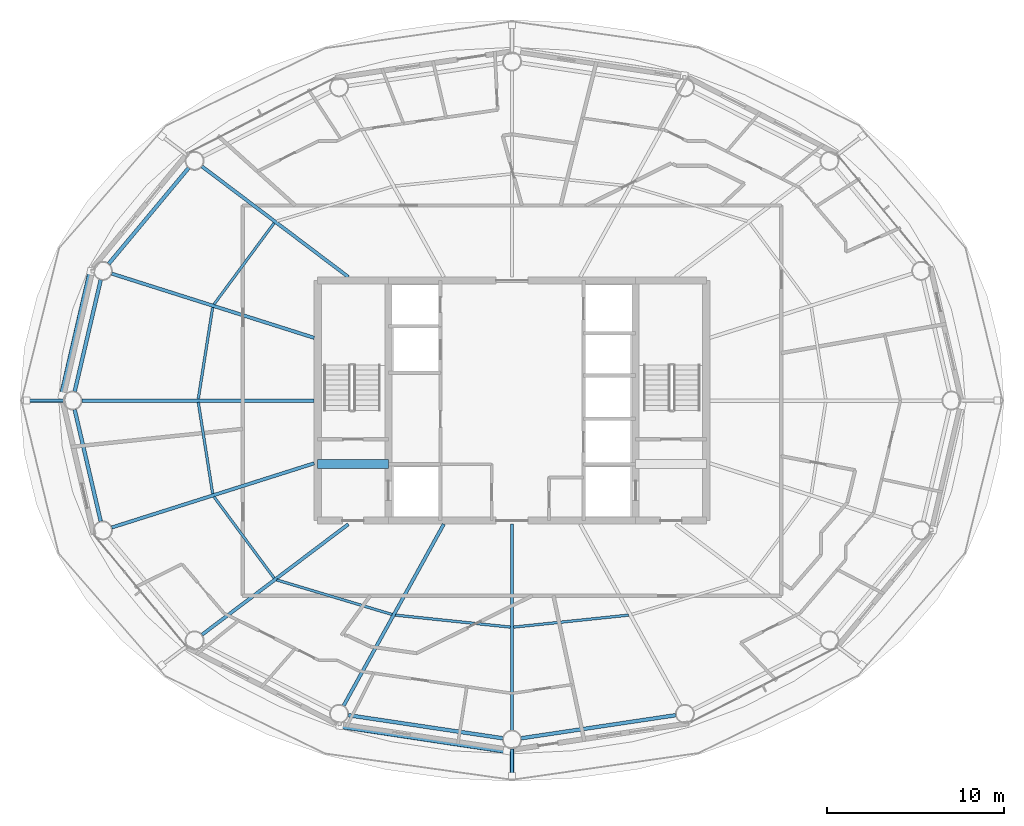
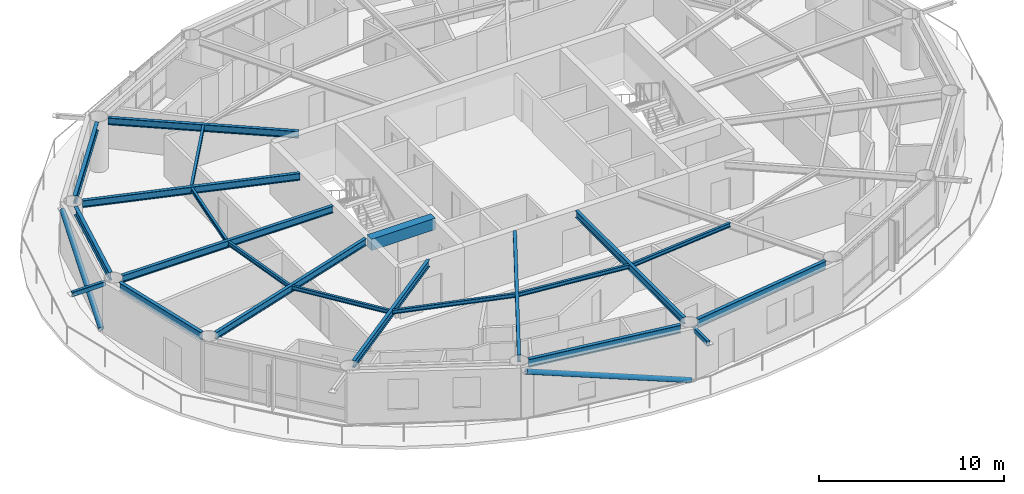
# One storey, part 4 of 23: 20 beams, 4 members.
"""IFC4 building model written with IfcOpenShell, lengths in metres."""

from ifc_helpers import new_model, si_unit, direction, frame, origin, origin_2d, place, context, subcontext, project, spatial, rectangle, hollow_rectangle, hollow_circle, i_section, extrude, material, material_profile, profile_set, type_object, element, save


model = new_model("IFC4")

# Units and contexts
model_context = context("Model", 3, precision=1e-05, world=origin(), true_north=direction((0.0, 1.0)))
body_context = subcontext(model_context, "Body", "Model", "MODEL_VIEW")
ifc_project = project(units=[si_unit("LENGTHUNIT", "METRE"), si_unit("AREAUNIT", "SQUARE_METRE"), si_unit("VOLUMEUNIT", "CUBIC_METRE"), si_unit("PLANEANGLEUNIT", "RADIAN"), si_unit("MASSUNIT", "GRAM", prefix="KILO")], contexts=[model_context])

# Site, building, storey
site_placement = place(None, origin())
site = spatial("IfcSite", under=ifc_project, at=site_placement, CompositionType="ELEMENT")
building_placement = place(site_placement, origin())
building = spatial("IfcBuilding", under=site, at=building_placement, Name="Sarneth Arch Tower", CompositionType="ELEMENT")
storey_placement = place(building_placement, frame((0.0, 0.0, 246.0)))
storey = spatial("IfcBuildingStorey", under=building, at=storey_placement, Name="L63", CompositionType="ELEMENT", Elevation=246.0)

# Beams
ifc_material_1 = material(Name="Steel S355", Category="steel")
ifc_material_profile_1 = material_profile(ifc_material_1, i_section(OverallWidth=0.14794921875, OverallDepth=0.26611328125, WebThickness=0.007568359375, FlangeThickness=0.012939453125, FilletRadius=0.012939453125, at=origin_2d()), Name="W250x44.8")
ifc_profile_set_1 = profile_set([ifc_material_profile_1], Name="Steel S355")
beam_type_1 = type_object("IfcBeamType", Name="BM-JOIST-250", PredefinedType="JOIST", material=ifc_profile_set_1)
beam_1_placement = place(storey_placement, frame((34.53076171875, 52.052734375, 3.22705078125), z_axis=(-0.594853468946, -0.803834156081, 0.0), x_axis=(0.803834156081, -0.594853468946, 0.0)))
element("IfcBeam", 1, at=beam_1_placement, inside=storey, type_object=beam_type_1, Name="L63 Secondary floor joist 07", PredefinedType="JOIST", context=body_context, shape_type="SweptSolid", body=[
    extrude(i_section(OverallWidth=0.14794921875, OverallDepth=0.26611328125, WebThickness=0.007568359375, FlangeThickness=0.012939453125, FilletRadius=0.012939453125, at=origin_2d()), origin(), (0.0, 0.0, 1.0), 5.72900390625),
])
for number, where, z_axis, x_axis, name in (
    (2, (31.05078125, 47.275390625, 3.22705078125), (-0.155393595615, -0.987852635995, 0.0), (0.987852635995, -0.155393595615, 0.0), "L63 Secondary floor joist 08"),
    (3, (30.23583984375, 41.9052734375, 3.22705078125), (0.155393595615, -0.987852635995, 0.0), (0.987852635995, 0.155393595615, 0.0), "L63 Secondary floor joist 09"),
):
    element("IfcBeam", number, at=place(storey_placement, frame(where, z_axis=z_axis, x_axis=x_axis)), inside=storey, type_object=beam_type_1, Name=name, PredefinedType="JOIST", context=body_context, shape_type="SweptSolid", body=[
        extrude(i_section(OverallWidth=0.14794921875, OverallDepth=0.26611328125, WebThickness=0.007568359375, FlangeThickness=0.012939453125, FilletRadius=0.012939453125, at=origin_2d()), origin(), (0.0, 0.0, 1.0), 5.244384765625),
    ])
beam_2_placement = place(storey_placement, frame((31.122802734375, 36.552490234375, 3.22705078125), z_axis=(0.594853468946, -0.803834156081, 0.0), x_axis=(0.803834156081, 0.594853468946, 0.0)))
element("IfcBeam", 4, at=beam_2_placement, inside=storey, type_object=beam_type_1, Name="L63 Secondary floor joist 10", PredefinedType="JOIST", context=body_context, shape_type="SweptSolid", body=[
    extrude(i_section(OverallWidth=0.14794921875, OverallDepth=0.26611328125, WebThickness=0.007568359375, FlangeThickness=0.012939453125, FilletRadius=0.012939453125, at=origin_2d()), origin(), (0.0, 0.0, 1.0), 5.72900390625),
])
beam_3_placement = place(storey_placement, frame((34.679931640625, 31.842529296875, 3.22705078125), z_axis=(0.957984908347, -0.286818610589, 0.0), x_axis=(0.286818610589, 0.957984908347, 0.0)))
element("IfcBeam", 5, at=beam_3_placement, inside=storey, type_object=beam_type_1, Name="L63 Secondary floor joist 11", PredefinedType="JOIST", context=body_context, shape_type="SweptSolid", body=[
    extrude(i_section(OverallWidth=0.14794921875, OverallDepth=0.26611328125, WebThickness=0.007568359375, FlangeThickness=0.012939453125, FilletRadius=0.012939453125, at=origin_2d()), origin(), (0.0, 0.0, 1.0), 6.81396484375),
])
for number, where, z_axis, x_axis, name in (
    (6, (41.39501953125, 29.8505859375, 3.22705078125), (0.994616086198, -0.103628379682, 0.0), (0.103628379682, 0.994616086198, 0.0), "L63 Secondary floor joist 12"),
    (7, (48.095458984375, 29.17236328125, 3.22705078125), (0.994616086198, 0.103628379682, 0.0), (-0.103628379682, 0.994616086198, 0.0), "L63 Secondary floor joist 13"),
):
    element("IfcBeam", number, at=place(storey_placement, frame(where, z_axis=z_axis, x_axis=x_axis)), inside=storey, type_object=beam_type_1, Name=name, PredefinedType="JOIST", context=body_context, shape_type="SweptSolid", body=[
        extrude(i_section(OverallWidth=0.14794921875, OverallDepth=0.26611328125, WebThickness=0.007568359375, FlangeThickness=0.012939453125, FilletRadius=0.012939453125, at=origin_2d()), origin(), (0.0, 0.0, 1.0), 6.544677734375),
    ])
ifc_material_2 = material(Name="Concrete C50/60", Category="concrete")
ifc_material_profile_2 = material_profile(ifc_material_2, rectangle(XDim=0.5, YDim=0.75, at=origin_2d()), Name="RC-500x750")
ifc_profile_set_2 = profile_set([ifc_material_profile_2], Name="Concrete C50/60")
beam_type_2 = type_object("IfcBeamType", Name="BM-LINTEL-RC", PredefinedType="LINTEL", material=ifc_profile_set_2)
beam_4_placement = place(storey_placement, frame((37.0, 38.39990234375, 2.985107421875), z_axis=(1.0, 0.0, 0.0), x_axis=(0.0, 1.0, 0.0)))
element("IfcBeam", 8, at=beam_4_placement, inside=storey, type_object=beam_type_2, Name="L63 Core coupling lintel W", PredefinedType="LINTEL", context=body_context, shape_type="SweptSolid", body=[
    extrude(rectangle(XDim=0.5, YDim=0.75, at=origin_2d()), origin(), (0.0, 0.0, 1.0), 4.0),
])
ifc_material_3 = material(Name="Steel S355", Category="steel")
ifc_material_profile_3 = material_profile(ifc_material_3, i_section(OverallWidth=0.19189453125, OverallDepth=0.462890625, WebThickness=0.010498046875, FlangeThickness=0.017578125, FilletRadius=0.01806640625, at=origin_2d()), Name="W460x89")
ifc_profile_set_3 = profile_set([ifc_material_profile_3], Name="Steel S355")
beam_type_3 = type_object("IfcBeamType", Name="BM-RAD-460B", PredefinedType="BEAM", material=ifc_profile_set_3)
beam_5_placement = place(storey_placement, frame((38.73193359375, 49.0, 3.12841796875), z_axis=(-0.79797308069, 0.60269309146, 0.0), x_axis=(-0.60269309146, -0.79797308069, 0.0)))
element("IfcBeam", 9, at=beam_5_placement, inside=storey, type_object=beam_type_3, Name="L63 Radial floor girder 07", PredefinedType="BEAM", context=body_context, shape_type="SweptSolid", body=[
    extrude(i_section(OverallWidth=0.19189453125, OverallDepth=0.462890625, WebThickness=0.010498046875, FlangeThickness=0.017578125, FilletRadius=0.01806640625, at=origin_2d()), origin(), (0.0, 0.0, 1.0), 10.38671875),
])
beam_6_placement = place(storey_placement, frame((36.800048828125, 45.5517578125, 3.12841796875), z_axis=(-0.953216092177, 0.302289731243, 0.0), x_axis=(-0.302289731243, -0.953216092177, 0.0)))
element("IfcBeam", 10, at=beam_6_placement, inside=storey, type_object=beam_type_3, Name="L63 Radial floor girder 08", PredefinedType="BEAM", context=body_context, shape_type="SweptSolid", body=[
    extrude(i_section(OverallWidth=0.19189453125, OverallDepth=0.462890625, WebThickness=0.010498046875, FlangeThickness=0.017578125, FilletRadius=0.01806640625, at=origin_2d()), origin(), (0.0, 0.0, 1.0), 12.031494140625),
])
beam_7_placement = place(storey_placement, frame((36.800048828125, 42.0, 3.12841796875), z_axis=(-1.0, 0.0, 0.0), x_axis=(0.0, -1.0, 0.0)))
element("IfcBeam", 11, at=beam_7_placement, inside=storey, type_object=beam_type_3, Name="L63 Radial floor girder 09", PredefinedType="BEAM", context=body_context, shape_type="SweptSolid", body=[
    extrude(i_section(OverallWidth=0.19189453125, OverallDepth=0.462890625, WebThickness=0.010498046875, FlangeThickness=0.017578125, FilletRadius=0.01806640625, at=origin_2d()), origin(), (0.0, 0.0, 1.0), 13.158203125),
])
beam_8_placement = place(storey_placement, frame((36.800048828125, 38.4482421875, 3.12841796875), z_axis=(-0.953216092177, -0.302289731243, 0.0), x_axis=(0.302289731243, -0.953216092177, 0.0)))
element("IfcBeam", 12, at=beam_8_placement, inside=storey, type_object=beam_type_3, Name="L63 Radial floor girder 10", PredefinedType="BEAM", context=body_context, shape_type="SweptSolid", body=[
    extrude(i_section(OverallWidth=0.19189453125, OverallDepth=0.462890625, WebThickness=0.010498046875, FlangeThickness=0.017578125, FilletRadius=0.01806640625, at=origin_2d()), origin(), (0.0, 0.0, 1.0), 12.031494140625),
])
beam_9_placement = place(storey_placement, frame((38.73193359375, 35.0, 3.12841796875), z_axis=(-0.79797308069, -0.60269309146, 0.0), x_axis=(0.60269309146, -0.79797308069, 0.0)))
element("IfcBeam", 13, at=beam_9_placement, inside=storey, type_object=beam_type_3, Name="L63 Radial floor girder 11", PredefinedType="BEAM", context=body_context, shape_type="SweptSolid", body=[
    extrude(i_section(OverallWidth=0.19189453125, OverallDepth=0.462890625, WebThickness=0.010498046875, FlangeThickness=0.017578125, FilletRadius=0.01806640625, at=origin_2d()), origin(), (0.0, 0.0, 1.0), 10.38671875),
])
beam_10_placement = place(storey_placement, frame((44.13623046875, 35.0, 3.12841796875), z_axis=(-0.483225760768, -0.875495781903, 0.0), x_axis=(0.875495781903, -0.483225760768, 0.0)))
element("IfcBeam", 14, at=beam_10_placement, inside=storey, type_object=beam_type_3, Name="L63 Radial floor girder 12", PredefinedType="BEAM", context=body_context, shape_type="SweptSolid", body=[
    extrude(i_section(OverallWidth=0.19189453125, OverallDepth=0.462890625, WebThickness=0.010498046875, FlangeThickness=0.017578125, FilletRadius=0.01806640625, at=origin_2d()), origin(), (0.0, 0.0, 1.0), 11.740478515625),
])
beam_11_placement = place(storey_placement, frame((48.0, 35.0, 3.12841796875), z_axis=(0.0, -1.0, 0.0), x_axis=(1.0, 0.0, 0.0)))
element("IfcBeam", 15, at=beam_11_placement, inside=storey, type_object=beam_type_3, Name="L63 Radial floor girder 13", PredefinedType="BEAM", context=body_context, shape_type="SweptSolid", body=[
    extrude(i_section(OverallWidth=0.19189453125, OverallDepth=0.462890625, WebThickness=0.010498046875, FlangeThickness=0.017578125, FilletRadius=0.01806640625, at=origin_2d()), origin(), (0.0, 0.0, 1.0), 11.675048828125),
])
ifc_material_4 = material(Name="Steel S355", Category="steel")
ifc_material_profile_4 = material_profile(ifc_material_4, i_section(OverallWidth=0.2109375, OverallDepth=0.5390625, WebThickness=0.01171875, FlangeThickness=0.018798828125, FilletRadius=0.01806640625, at=origin_2d()), Name="W530x109")
ifc_profile_set_4 = profile_set([ifc_material_profile_4], Name="Steel S355")
beam_type_4 = type_object("IfcBeamType", Name="BM-RAD-530B", PredefinedType="BEAM", material=ifc_profile_set_4)
beam_12_placement = place(storey_placement, frame((29.6884765625, 55.17333984375, 3.090576171875), z_axis=(-0.640364654985, -0.76807103099, 0.0), x_axis=(0.76807103099, -0.640364654985, 0.0)))
element("IfcBeam", 16, at=beam_12_placement, inside=storey, type_object=beam_type_4, Name="L63 Perimeter spandrel beam 07", PredefinedType="BEAM", context=body_context, shape_type="SweptSolid", body=[
    extrude(i_section(OverallWidth=0.2109375, OverallDepth=0.5390625, WebThickness=0.01171875, FlangeThickness=0.018798828125, FilletRadius=0.01806640625, at=origin_2d()), origin(), (0.0, 0.0, 1.0), 7.06005859375),
])
for number, where, z_axis, x_axis, name in (
    (17, (24.7119140625, 48.836181640625, 3.090576171875), (-0.227230803906, -0.973840932471, 0.0), (0.973840932471, -0.227230803906, 0.0), "L63 Perimeter spandrel beam 08"),
    (18, (23.236083984375, 41.48876953125, 3.090576171875), (0.227230803906, -0.973840932471, 0.0), (0.973840932471, 0.227230803906, 0.0), "L63 Perimeter spandrel beam 09"),
):
    element("IfcBeam", number, at=place(storey_placement, frame(where, z_axis=z_axis, x_axis=x_axis)), inside=storey, type_object=beam_type_4, Name=name, PredefinedType="BEAM", context=body_context, shape_type="SweptSolid", body=[
        extrude(i_section(OverallWidth=0.2109375, OverallDepth=0.5390625, WebThickness=0.01171875, FlangeThickness=0.018798828125, FilletRadius=0.01806640625, at=origin_2d()), origin(), (0.0, 0.0, 1.0), 6.494873046875),
    ])
for number, where, z_axis, x_axis, name in (
    (19, (38.728515625, 24.18408203125, 3.090576171875), (0.989038715098, -0.147656425652, 0.0), (0.147656425652, 0.989038715098, 0.0), "L63 Perimeter spandrel beam 12"),
    (20, (48.519287109375, 22.87744140625, 3.090576171875), (0.989038715098, 0.147656425652, 0.0), (-0.147656425652, 0.989038715098, 0.0), "L63 Perimeter spandrel beam 13"),
):
    element("IfcBeam", number, at=place(storey_placement, frame(where, z_axis=z_axis, x_axis=x_axis)), inside=storey, type_object=beam_type_4, Name=name, PredefinedType="BEAM", context=body_context, shape_type="SweptSolid", body=[
        extrude(i_section(OverallWidth=0.2109375, OverallDepth=0.5390625, WebThickness=0.01171875, FlangeThickness=0.018798828125, FilletRadius=0.01806640625, at=origin_2d()), origin(), (0.0, 0.0, 1.0), 8.84912109375),
    ])

# Members
ifc_material_5 = material(Name="Steel S355", Category="steel")
ifc_material_profile_5 = material_profile(ifc_material_5, hollow_rectangle(XDim=0.199951171875, YDim=0.300048828125, WallThickness=0.012451171875, InnerFilletRadius=0.018798828125, OuterFilletRadius=0.03125, at=origin_2d()), Name="RHS300x200x12.5")
ifc_profile_set_5 = profile_set([ifc_material_profile_5], Name="Steel S355")
member_type_1 = type_object("IfcMemberType", Name="MEM-CANT-STRUT", PredefinedType="STRUT", material=ifc_profile_set_5)
member_1_placement = place(storey_placement, frame((22.591796875, 42.0, 3.199951171875), z_axis=(-1.0, 0.0, 0.0), x_axis=(0.0, -1.0, 0.0)))
element("IfcMember", 21, at=member_1_placement, inside=storey, type_object=member_type_1, Name="L63 Balcony cantilever bracket 09", PredefinedType="STRUT", context=body_context, shape_type="SweptSolid", body=[
    extrude(hollow_rectangle(XDim=0.199951171875, YDim=0.300048828125, WallThickness=0.012451171875, InnerFilletRadius=0.018798828125, OuterFilletRadius=0.03125, at=origin_2d()), origin(), (0.0, 0.0, 1.0), 2.07470703125),
])
member_2_placement = place(storey_placement, frame((48.0, 22.27490234375, 3.199951171875), z_axis=(0.0, -1.0, 0.0), x_axis=(1.0, 0.0, 0.0)))
element("IfcMember", 22, at=member_2_placement, inside=storey, type_object=member_type_1, Name="L63 Balcony cantilever bracket 13", PredefinedType="STRUT", context=body_context, shape_type="SweptSolid", body=[
    extrude(hollow_rectangle(XDim=0.199951171875, YDim=0.300048828125, WallThickness=0.012451171875, InnerFilletRadius=0.018798828125, OuterFilletRadius=0.03125, at=origin_2d()), origin(), (0.0, 0.0, 1.0), 1.525146484375),
])
ifc_material_6 = material(Name="Steel S355", Category="steel")
ifc_material_profile_6 = material_profile(ifc_material_6, hollow_circle(Radius=0.162109375, WallThickness=0.012451171875, at=origin_2d()), Name="CHS324x12.5")
ifc_profile_set_6 = profile_set([ifc_material_profile_6], Name="Steel S355")
member_type_2 = type_object("IfcMemberType", Name="MEM-DIAG-BR3", PredefinedType="BRACE", material=ifc_profile_set_6)
member_3_placement = place(storey_placement, frame((22.5234375, 42.292236328125, 0.02001953125), z_axis=(0.207917989892, 0.898749333617, 0.386030756289), x_axis=(-0.974268900284, 0.225388797281, 0.0)))
element("IfcMember", 23, at=member_3_placement, inside=storey, type_object=member_type_2, Name="L63 Perimeter frame diagonal 08", PredefinedType="BRACE", context=body_context, shape_type="SweptSolid", body=[
    extrude(hollow_circle(Radius=0.162109375, WallThickness=0.012451171875, at=origin_2d()), origin(), (0.0, 0.0, 1.0), 7.814453125),
])
member_4_placement = place(storey_placement, frame((47.703369140625, 22.16455078125, 0.02001953125), z_axis=(-0.943056107878, 0.142001297879, 0.300800280576), x_axis=(-0.148897148305, -0.988852688335, 0.0)))
element("IfcMember", 24, at=member_4_placement, inside=storey, type_object=member_type_2, Name="L63 Perimeter frame diagonal 12", PredefinedType="BRACE", context=body_context, shape_type="SweptSolid", body=[
    extrude(hollow_circle(Radius=0.162109375, WallThickness=0.012451171875, at=origin_2d()), origin(), (0.0, 0.0, 1.0), 10.028564453125),
])

save(model, "model.ifc")
